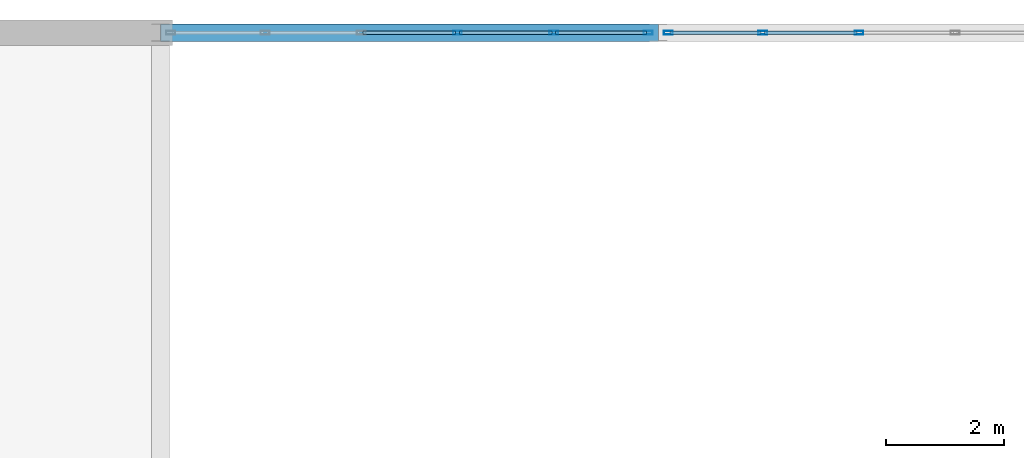
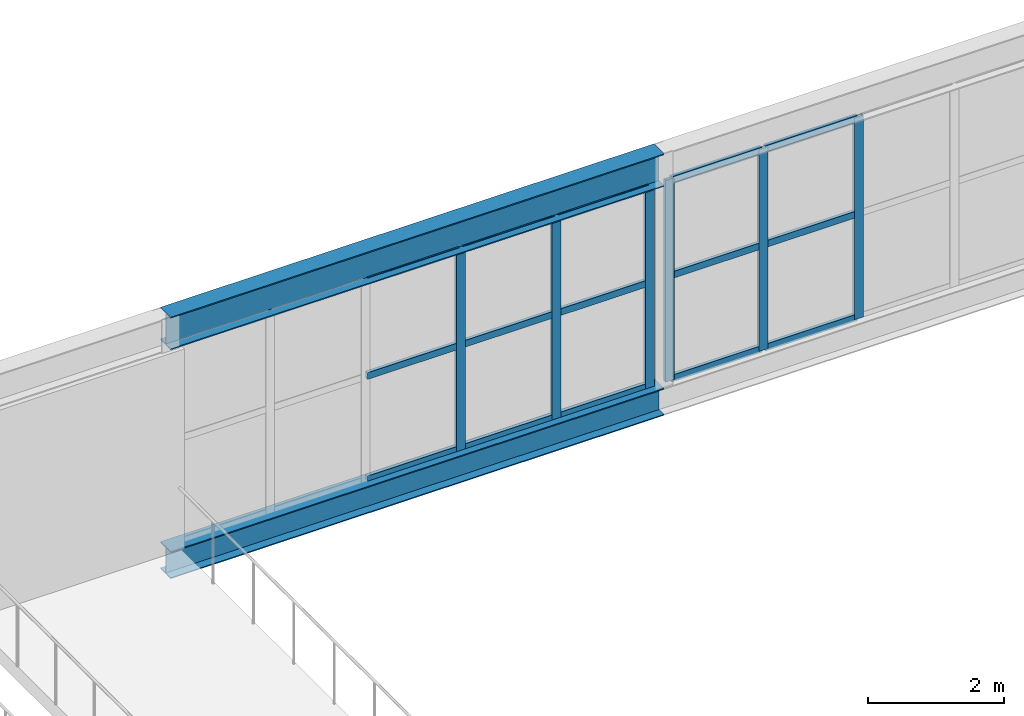
# One storey, part 162 of 218: 21 members, 2 beams, 2 elements without a shape of their own.
"""IFC4 building model written with IfcOpenShell, lengths in metres."""

from ifc_helpers import new_model, si_unit, direction, frame, origin, origin_2d, place, context, subcontext, project, spatial, hollow_rectangle, i_section, extrude, material, material_profile, profile_set, type_object, element, aggregate, save


model = new_model("IFC4")

# Units and contexts
model_context = context("Model", 3, precision=1e-05, world=origin(), true_north=direction((0.0, 1.0)))
body_context = subcontext(model_context, "Body", "Model", "MODEL_VIEW")
ifc_project = project(units=[si_unit("LENGTHUNIT", "METRE"), si_unit("AREAUNIT", "SQUARE_METRE"), si_unit("VOLUMEUNIT", "CUBIC_METRE"), si_unit("PLANEANGLEUNIT", "RADIAN"), si_unit("MASSUNIT", "GRAM", prefix="KILO")], contexts=[model_context])

# Site, building, storey
site_placement = place(None, origin())
site = spatial("IfcSite", under=ifc_project, at=site_placement, CompositionType="ELEMENT")
building_placement = place(site_placement, origin())
building = spatial("IfcBuilding", under=site, at=building_placement, Name="Kazenagashi Tramway Depot", CompositionType="ELEMENT")
storey_placement = place(building_placement, frame((0.0, 0.0, 6.0)))
storey = spatial("IfcBuildingStorey", under=building, at=storey_placement, Name="L02", CompositionType="ELEMENT", Elevation=6.0)

# Curtain wall, members
ifc_material_1 = material(Name="Anodised Aluminium and Low-E Glazing", Category="aluminium")
curtain_wall_type = type_object("IfcCurtainWallType", Name="CW-15", PredefinedType="USERDEFINED", material=ifc_material_1)
curtain_wall_1_placement = place(storey_placement, origin())
curtain_wall_1 = element("IfcCurtainWall", 1, at=curtain_wall_1_placement, inside=storey, type_object=curtain_wall_type, Name="Industrial Glazed Screen CW-15 CW-0059", ObjectType="GLAZED SCREEN", PredefinedType="USERDEFINED")
ifc_material_2 = material(Name="Anodised Aluminium", Category="aluminium")
ifc_material_profile_1 = material_profile(ifc_material_2, hollow_rectangle(XDim=0.06, YDim=0.15, WallThickness=0.004, at=origin_2d()), Name="RHS-150x60x4")
ifc_profile_set_1 = profile_set([ifc_material_profile_1], Name="Anodised Aluminium")
member_type_1 = type_object("IfcMemberType", Name="ML-01", PredefinedType="MULLION", material=ifc_profile_set_1)
member_1_placement = place(storey_placement, frame((66.612, 130.0, -0.02), z_axis=(0.0, 0.0, 1.0), x_axis=(0.0, 1.0, 0.0)))
member_1 = element("IfcMember", 2, at=member_1_placement, type_object=member_type_1, Name="CW-15 mullion 4", PredefinedType="MULLION", context=body_context, shape_type="SweptSolid", body=[
    extrude(hollow_rectangle(XDim=0.06, YDim=0.15, WallThickness=0.004, at=origin_2d()), origin(), (0.0, 0.0, 1.0), 3.632),
])
member_2_placement = place(storey_placement, frame((68.236, 130.0, -0.02), z_axis=(0.0, 0.0, 1.0), x_axis=(0.0, 1.0, 0.0)))
member_2 = element("IfcMember", 3, at=member_2_placement, type_object=member_type_1, Name="CW-15 mullion 5", PredefinedType="MULLION", context=body_context, shape_type="SweptSolid", body=[
    extrude(hollow_rectangle(XDim=0.06, YDim=0.15, WallThickness=0.004, at=origin_2d()), origin(), (0.0, 0.0, 1.0), 3.632),
])
member_3_placement = place(storey_placement, frame((69.83, 130.0, -0.02), z_axis=(0.0, 0.0, 1.0), x_axis=(0.0, 1.0, 0.0)))
member_3 = element("IfcMember", 4, at=member_3_placement, type_object=member_type_1, Name="CW-15 mullion 6", PredefinedType="MULLION", context=body_context, shape_type="SweptSolid", body=[
    extrude(hollow_rectangle(XDim=0.06, YDim=0.15, WallThickness=0.004, at=origin_2d()), origin(), (0.0, 0.0, 1.0), 3.632),
])

curtain_wall_2_placement = place(storey_placement, origin())
curtain_wall_2 = element("IfcCurtainWall", 5, at=curtain_wall_2_placement, inside=storey, type_object=curtain_wall_type, Name="Industrial Glazed Screen CW-15 CW-0062", ObjectType="GLAZED SCREEN", PredefinedType="USERDEFINED")
member_4_placement = place(storey_placement, frame((70.17, 130.0, -0.02), z_axis=(0.0, 0.0, 1.0), x_axis=(0.0, 1.0, 0.0)))
member_4 = element("IfcMember", 6, at=member_4_placement, type_object=member_type_1, Name="CW-15 mullion 1", PredefinedType="MULLION", context=body_context, shape_type="SweptSolid", body=[
    extrude(hollow_rectangle(XDim=0.06, YDim=0.15, WallThickness=0.004, at=origin_2d()), origin(), (0.0, 0.0, 1.0), 3.632),
])
member_5_placement = place(storey_placement, frame((71.764, 130.0, -0.02), z_axis=(0.0, 0.0, 1.0), x_axis=(0.0, 1.0, 0.0)))
member_5 = element("IfcMember", 7, at=member_5_placement, type_object=member_type_1, Name="CW-15 mullion 2", PredefinedType="MULLION", context=body_context, shape_type="SweptSolid", body=[
    extrude(hollow_rectangle(XDim=0.06, YDim=0.15, WallThickness=0.004, at=origin_2d()), origin(), (0.0, 0.0, 1.0), 3.632),
])
member_6_placement = place(storey_placement, frame((73.388, 130.0, -0.02), z_axis=(0.0, 0.0, 1.0), x_axis=(0.0, 1.0, 0.0)))
member_6 = element("IfcMember", 8, at=member_6_placement, type_object=member_type_1, Name="CW-15 mullion 3", PredefinedType="MULLION", context=body_context, shape_type="SweptSolid", body=[
    extrude(hollow_rectangle(XDim=0.06, YDim=0.15, WallThickness=0.004, at=origin_2d()), origin(), (0.0, 0.0, 1.0), 3.632),
])

# Beams
ifc_material_3 = material(Name="Steel SN490B", Category="steel")
ifc_material_profile_2 = material_profile(ifc_material_3, i_section(OverallWidth=0.3, OverallDepth=0.588, WebThickness=0.012, FlangeThickness=0.02, at=origin_2d()), Name="H-588x300x12x20")
ifc_profile_set_2 = profile_set([ifc_material_profile_2], Name="Steel SN490B")
beam_type_1 = type_object("IfcBeamType", Name="SP-01", PredefinedType="SPANDREL", material=ifc_profile_set_2)
beam_1_placement = place(storey_placement, frame((61.6, 130.0, 3.906), z_axis=(1.0, 0.0, 0.0), x_axis=(0.0, 1.0, 0.0)))
element("IfcBeam", 9, at=beam_1_placement, inside=storey, type_object=beam_type_1, Name="Beam SP-01 BM-1882", PredefinedType="SPANDREL", context=body_context, shape_type="SweptSolid", body=[
    extrude(i_section(OverallWidth=0.3, OverallDepth=0.588, WebThickness=0.012, FlangeThickness=0.02, at=origin_2d()), origin(), (0.0, 0.0, 1.0), 8.4),
])
ifc_material_profile_3 = material_profile(ifc_material_3, i_section(OverallWidth=0.3, OverallDepth=0.488, WebThickness=0.011, FlangeThickness=0.018, at=origin_2d()), Name="H-488x300x11x18")
ifc_profile_set_3 = profile_set([ifc_material_profile_3], Name="Steel SN490B")
beam_type_2 = type_object("IfcBeamType", Name="SP-02", PredefinedType="SPANDREL", material=ifc_profile_set_3)
beam_2_placement = place(storey_placement, frame((61.6, 130.0, -0.264), z_axis=(1.0, 0.0, 0.0), x_axis=(0.0, 1.0, 0.0)))
element("IfcBeam", 10, at=beam_2_placement, inside=storey, type_object=beam_type_2, Name="Beam SP-02 BM-1826", PredefinedType="SPANDREL", context=body_context, shape_type="SweptSolid", body=[
    extrude(i_section(OverallWidth=0.3, OverallDepth=0.488, WebThickness=0.011, FlangeThickness=0.018, at=origin_2d()), origin(), (0.0, 0.0, 1.0), 8.4),
])

# Member
ifc_material_profile_4 = material_profile(ifc_material_2, hollow_rectangle(XDim=0.06, YDim=0.12, WallThickness=0.004, at=origin_2d()), Name="RHS-120x60x4")
ifc_profile_set_4 = profile_set([ifc_material_profile_4], Name="Anodised Aluminium")
member_type_2 = type_object("IfcMemberType", Name="TR-01", PredefinedType="USERDEFINED", material=ifc_profile_set_4)
member_7_placement = place(storey_placement, frame((65.018, 130.0, 0.01), z_axis=(1.0, 0.0, 0.0), x_axis=(0.0, 1.0, 0.0)))
member_7 = element("IfcMember", 11, at=member_7_placement, type_object=member_type_2, Name="CW-15 transom 3.1", ObjectType="TRANSOM", PredefinedType="USERDEFINED", context=body_context, shape_type="SweptSolid", body=[
    extrude(hollow_rectangle(XDim=0.06, YDim=0.12, WallThickness=0.004, at=origin_2d()), origin(), (0.0, 0.0, 1.0), 1.564),
])

member_8_placement = place(storey_placement, frame((65.018, 130.0, 1.869), z_axis=(1.0, 0.0, 0.0), x_axis=(0.0, 1.0, 0.0)))
member_8 = element("IfcMember", 12, at=member_8_placement, type_object=member_type_2, Name="CW-15 transom 3.2", ObjectType="TRANSOM", PredefinedType="USERDEFINED", context=body_context, shape_type="SweptSolid", body=[
    extrude(hollow_rectangle(XDim=0.06, YDim=0.12, WallThickness=0.004, at=origin_2d()), origin(), (0.0, 0.0, 1.0), 1.564),
])

member_9_placement = place(storey_placement, frame((65.018, 130.0, 3.582), z_axis=(1.0, 0.0, 0.0), x_axis=(0.0, 1.0, 0.0)))
member_9 = element("IfcMember", 13, at=member_9_placement, type_object=member_type_2, Name="CW-15 transom 3.3", ObjectType="TRANSOM", PredefinedType="USERDEFINED", context=body_context, shape_type="SweptSolid", body=[
    extrude(hollow_rectangle(XDim=0.06, YDim=0.12, WallThickness=0.004, at=origin_2d()), origin(), (0.0, 0.0, 1.0), 1.564),
])

member_10_placement = place(storey_placement, frame((66.642, 130.0, 0.01), z_axis=(1.0, 0.0, 0.0), x_axis=(0.0, 1.0, 0.0)))
member_10 = element("IfcMember", 14, at=member_10_placement, type_object=member_type_2, Name="CW-15 transom 4.1", ObjectType="TRANSOM", PredefinedType="USERDEFINED", context=body_context, shape_type="SweptSolid", body=[
    extrude(hollow_rectangle(XDim=0.06, YDim=0.12, WallThickness=0.004, at=origin_2d()), origin(), (0.0, 0.0, 1.0), 1.564),
])

member_11_placement = place(storey_placement, frame((66.642, 130.0, 1.869), z_axis=(1.0, 0.0, 0.0), x_axis=(0.0, 1.0, 0.0)))
member_11 = element("IfcMember", 15, at=member_11_placement, type_object=member_type_2, Name="CW-15 transom 4.2", ObjectType="TRANSOM", PredefinedType="USERDEFINED", context=body_context, shape_type="SweptSolid", body=[
    extrude(hollow_rectangle(XDim=0.06, YDim=0.12, WallThickness=0.004, at=origin_2d()), origin(), (0.0, 0.0, 1.0), 1.564),
])

member_12_placement = place(storey_placement, frame((66.642, 130.0, 3.582), z_axis=(1.0, 0.0, 0.0), x_axis=(0.0, 1.0, 0.0)))
member_12 = element("IfcMember", 16, at=member_12_placement, type_object=member_type_2, Name="CW-15 transom 4.3", ObjectType="TRANSOM", PredefinedType="USERDEFINED", context=body_context, shape_type="SweptSolid", body=[
    extrude(hollow_rectangle(XDim=0.06, YDim=0.12, WallThickness=0.004, at=origin_2d()), origin(), (0.0, 0.0, 1.0), 1.564),
])

member_13_placement = place(storey_placement, frame((68.266, 130.0, 0.01), z_axis=(1.0, 0.0, 0.0), x_axis=(0.0, 1.0, 0.0)))
member_13 = element("IfcMember", 17, at=member_13_placement, type_object=member_type_2, Name="CW-15 transom 5.1", ObjectType="TRANSOM", PredefinedType="USERDEFINED", context=body_context, shape_type="SweptSolid", body=[
    extrude(hollow_rectangle(XDim=0.06, YDim=0.12, WallThickness=0.004, at=origin_2d()), origin(), (0.0, 0.0, 1.0), 1.534),
])

member_14_placement = place(storey_placement, frame((68.266, 130.0, 1.869), z_axis=(1.0, 0.0, 0.0), x_axis=(0.0, 1.0, 0.0)))
member_14 = element("IfcMember", 18, at=member_14_placement, type_object=member_type_2, Name="CW-15 transom 5.2", ObjectType="TRANSOM", PredefinedType="USERDEFINED", context=body_context, shape_type="SweptSolid", body=[
    extrude(hollow_rectangle(XDim=0.06, YDim=0.12, WallThickness=0.004, at=origin_2d()), origin(), (0.0, 0.0, 1.0), 1.534),
])

member_15_placement = place(storey_placement, frame((68.266, 130.0, 3.582), z_axis=(1.0, 0.0, 0.0), x_axis=(0.0, 1.0, 0.0)))
member_15 = element("IfcMember", 19, at=member_15_placement, type_object=member_type_2, Name="CW-15 transom 5.3", ObjectType="TRANSOM", PredefinedType="USERDEFINED", context=body_context, shape_type="SweptSolid", body=[
    extrude(hollow_rectangle(XDim=0.06, YDim=0.12, WallThickness=0.004, at=origin_2d()), origin(), (0.0, 0.0, 1.0), 1.534),
])

aggregate(curtain_wall_1, [member_1, member_2, member_3, member_7, member_8, member_9, member_10, member_11, member_12, member_13, member_14, member_15])

member_16_placement = place(storey_placement, frame((70.2, 130.0, 0.01), z_axis=(1.0, 0.0, 0.0), x_axis=(0.0, 1.0, 0.0)))
member_16 = element("IfcMember", 20, at=member_16_placement, type_object=member_type_2, Name="CW-15 transom 1.1", ObjectType="TRANSOM", PredefinedType="USERDEFINED", context=body_context, shape_type="SweptSolid", body=[
    extrude(hollow_rectangle(XDim=0.06, YDim=0.12, WallThickness=0.004, at=origin_2d()), origin(), (0.0, 0.0, 1.0), 1.534),
])

member_17_placement = place(storey_placement, frame((70.2, 130.0, 1.869), z_axis=(1.0, 0.0, 0.0), x_axis=(0.0, 1.0, 0.0)))
member_17 = element("IfcMember", 21, at=member_17_placement, type_object=member_type_2, Name="CW-15 transom 1.2", ObjectType="TRANSOM", PredefinedType="USERDEFINED", context=body_context, shape_type="SweptSolid", body=[
    extrude(hollow_rectangle(XDim=0.06, YDim=0.12, WallThickness=0.004, at=origin_2d()), origin(), (0.0, 0.0, 1.0), 1.534),
])

member_18_placement = place(storey_placement, frame((70.2, 130.0, 3.582), z_axis=(1.0, 0.0, 0.0), x_axis=(0.0, 1.0, 0.0)))
member_18 = element("IfcMember", 22, at=member_18_placement, type_object=member_type_2, Name="CW-15 transom 1.3", ObjectType="TRANSOM", PredefinedType="USERDEFINED", context=body_context, shape_type="SweptSolid", body=[
    extrude(hollow_rectangle(XDim=0.06, YDim=0.12, WallThickness=0.004, at=origin_2d()), origin(), (0.0, 0.0, 1.0), 1.534),
])

member_19_placement = place(storey_placement, frame((71.794, 130.0, 0.01), z_axis=(1.0, 0.0, 0.0), x_axis=(0.0, 1.0, 0.0)))
member_19 = element("IfcMember", 23, at=member_19_placement, type_object=member_type_2, Name="CW-15 transom 2.1", ObjectType="TRANSOM", PredefinedType="USERDEFINED", context=body_context, shape_type="SweptSolid", body=[
    extrude(hollow_rectangle(XDim=0.06, YDim=0.12, WallThickness=0.004, at=origin_2d()), origin(), (0.0, 0.0, 1.0), 1.564),
])

member_20_placement = place(storey_placement, frame((71.794, 130.0, 1.869), z_axis=(1.0, 0.0, 0.0), x_axis=(0.0, 1.0, 0.0)))
member_20 = element("IfcMember", 24, at=member_20_placement, type_object=member_type_2, Name="CW-15 transom 2.2", ObjectType="TRANSOM", PredefinedType="USERDEFINED", context=body_context, shape_type="SweptSolid", body=[
    extrude(hollow_rectangle(XDim=0.06, YDim=0.12, WallThickness=0.004, at=origin_2d()), origin(), (0.0, 0.0, 1.0), 1.564),
])

member_21_placement = place(storey_placement, frame((71.794, 130.0, 3.582), z_axis=(1.0, 0.0, 0.0), x_axis=(0.0, 1.0, 0.0)))
member_21 = element("IfcMember", 25, at=member_21_placement, type_object=member_type_2, Name="CW-15 transom 2.3", ObjectType="TRANSOM", PredefinedType="USERDEFINED", context=body_context, shape_type="SweptSolid", body=[
    extrude(hollow_rectangle(XDim=0.06, YDim=0.12, WallThickness=0.004, at=origin_2d()), origin(), (0.0, 0.0, 1.0), 1.564),
])

aggregate(curtain_wall_2, [member_4, member_5, member_6, member_16, member_17, member_18, member_19, member_20, member_21])

save(model, "model.ifc")
